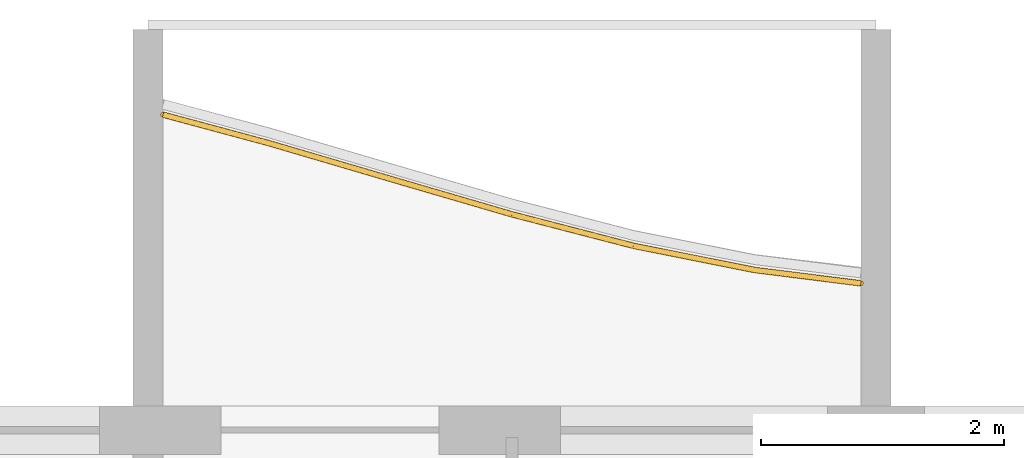
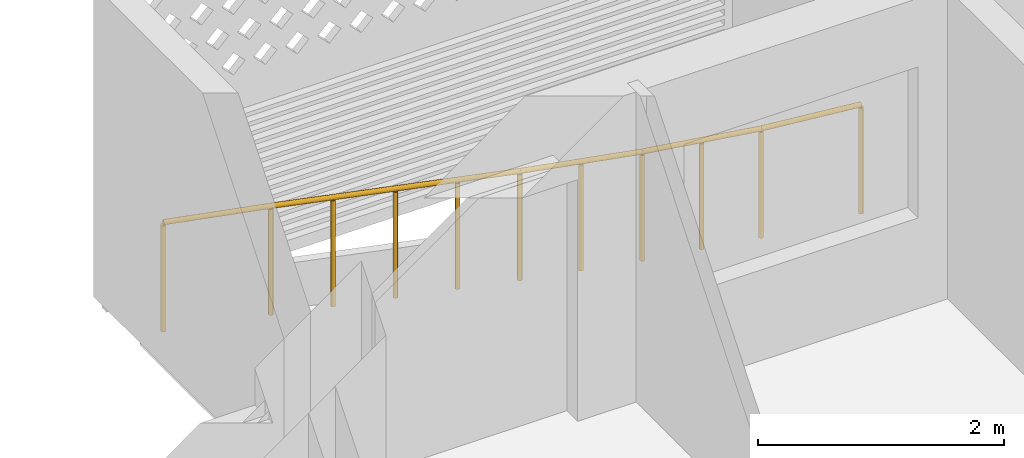
# One storey, part 17 of 26: 1 railing.
"""IFC4 building model written with IfcOpenShell, lengths in metres."""

from ifc_helpers import new_model, si_unit, direction, frame, origin, origin_2d, place, context, subcontext, project, spatial, circle, extrude, material, type_object, element, save


model = new_model("IFC4")

# Units and contexts
model_context = context("Model", 3, precision=1e-05, world=origin(), true_north=direction((0.0, 1.0)))
body_context = subcontext(model_context, "Body", "Model", "MODEL_VIEW")
ifc_project = project(units=[si_unit("LENGTHUNIT", "METRE"), si_unit("AREAUNIT", "SQUARE_METRE"), si_unit("VOLUMEUNIT", "CUBIC_METRE"), si_unit("PLANEANGLEUNIT", "RADIAN"), si_unit("MASSUNIT", "GRAM", prefix="KILO")], contexts=[model_context])

# Site, building, storey
site_placement = place(None, origin())
site = spatial("IfcSite", under=ifc_project, at=site_placement, CompositionType="ELEMENT")
building_placement = place(site_placement, origin())
building = spatial("IfcBuilding", under=site, at=building_placement, Name="Poui Terraces", CompositionType="ELEMENT")
storey_placement = place(building_placement, frame((0.0, 0.0, 247.800048828125)))
storey = spatial("IfcBuildingStorey", under=building, at=storey_placement, Name="L69", CompositionType="ELEMENT", Elevation=247.800048828125)

# Railing
ifc_material = material(Name="Painted steel fretwork", Category="steel")
railing_type = type_object("IfcRailingType", Name="BALCONY GUARD 1100", PredefinedType="GUARDRAIL", material=ifc_material)
railing_placement = place(storey_placement, frame((36.125, 43.7998046875, 0.0)))
element("IfcRailing", 1, at=railing_placement, inside=storey, type_object=railing_type, Name="BALCONY GUARD", PredefinedType="GUARDRAIL", context=body_context, shape_type="SweptSolid", body=[
    extrude(circle(Radius=0.02392578125, at=origin_2d()), frame((0.0, 0.0, 1.076171875), z_axis=(0.965610555684, -0.259992797499, 0.0), x_axis=(0.259992797499, 0.965610555684, 0.0)), (0.0, 0.0, 1.0), 0.90625),
    extrude(circle(Radius=0.02392578125, at=origin_2d()), frame((0.875, -0.235595703125, 1.076171875), z_axis=(0.959410247021, -0.282014144876, 0.0), x_axis=(0.282014144876, 0.959410247021, 0.0)), (0.0, 0.0, 1.0), 1.042236328125),
    extrude(circle(Radius=0.02392578125, at=origin_2d()), frame((1.875, -0.529541015625, 1.076171875), z_axis=(0.95997899776, -0.280071997637, 0.0), x_axis=(0.280071997637, 0.95997899776, 0.0)), (0.0, 0.0, 1.0), 1.041748046875),
    extrude(circle(Radius=0.02392578125, at=origin_2d()), frame((2.875, -0.8212890625, 1.076171875), z_axis=(0.968107386431, -0.250535602934, 0.0), x_axis=(0.250535602934, 0.968107386431, 0.0)), (0.0, 0.0, 1.0), 1.032958984375),
    extrude(circle(Radius=0.02392578125, at=origin_2d()), frame((3.875, -1.080078125, 1.076171875), z_axis=(0.980635885947, -0.19583988152, 0.0), x_axis=(0.19583988152, 0.980635885947, 0.0)), (0.0, 0.0, 1.0), 1.019775390625),
    extrude(circle(Radius=0.02392578125, at=origin_2d()), frame((4.875, -1.27978515625, 1.076171875), z_axis=(0.99220958069, -0.124579885968, 0.0), x_axis=(0.124579885968, 0.99220958069, 0.0)), (0.0, 0.0, 1.0), 0.8818359375),
    extrude(circle(Radius=0.02099609375, at=origin_2d()), origin(), (0.0, 0.0, 1.0), 1.052001953125),
    extrude(circle(Radius=0.02099609375, at=origin_2d()), frame((0.875, -0.235595703125, 0.0)), (0.0, 0.0, 1.0), 1.052001953125),
    extrude(circle(Radius=0.02099609375, at=origin_2d()), frame((1.375, -0.382568359375, 0.0)), (0.0, 0.0, 1.0), 1.052001953125),
    extrude(circle(Radius=0.02099609375, at=origin_2d()), frame((1.875, -0.529541015625, 0.0)), (0.0, 0.0, 1.0), 1.052001953125),
    extrude(circle(Radius=0.02099609375, at=origin_2d()), frame((2.375, -0.67529296875, 0.0)), (0.0, 0.0, 1.0), 1.052001953125),
    extrude(circle(Radius=0.02099609375, at=origin_2d()), frame((2.875, -0.8212890625, 0.0)), (0.0, 0.0, 1.0), 1.052001953125),
    extrude(circle(Radius=0.02099609375, at=origin_2d()), frame((3.375, -0.95068359375, 0.0)), (0.0, 0.0, 1.0), 1.052001953125),
    extrude(circle(Radius=0.02099609375, at=origin_2d()), frame((3.875, -1.080078125, 0.0)), (0.0, 0.0, 1.0), 1.052001953125),
    extrude(circle(Radius=0.02099609375, at=origin_2d()), frame((4.375, -1.179931640625, 0.0)), (0.0, 0.0, 1.0), 1.052001953125),
    extrude(circle(Radius=0.02099609375, at=origin_2d()), frame((4.875, -1.27978515625, 0.0)), (0.0, 0.0, 1.0), 1.052001953125),
    extrude(circle(Radius=0.02099609375, at=origin_2d()), frame((5.75, -1.3896484375, 0.0)), (0.0, 0.0, 1.0), 1.052001953125),
])

save(model, "model.ifc")
